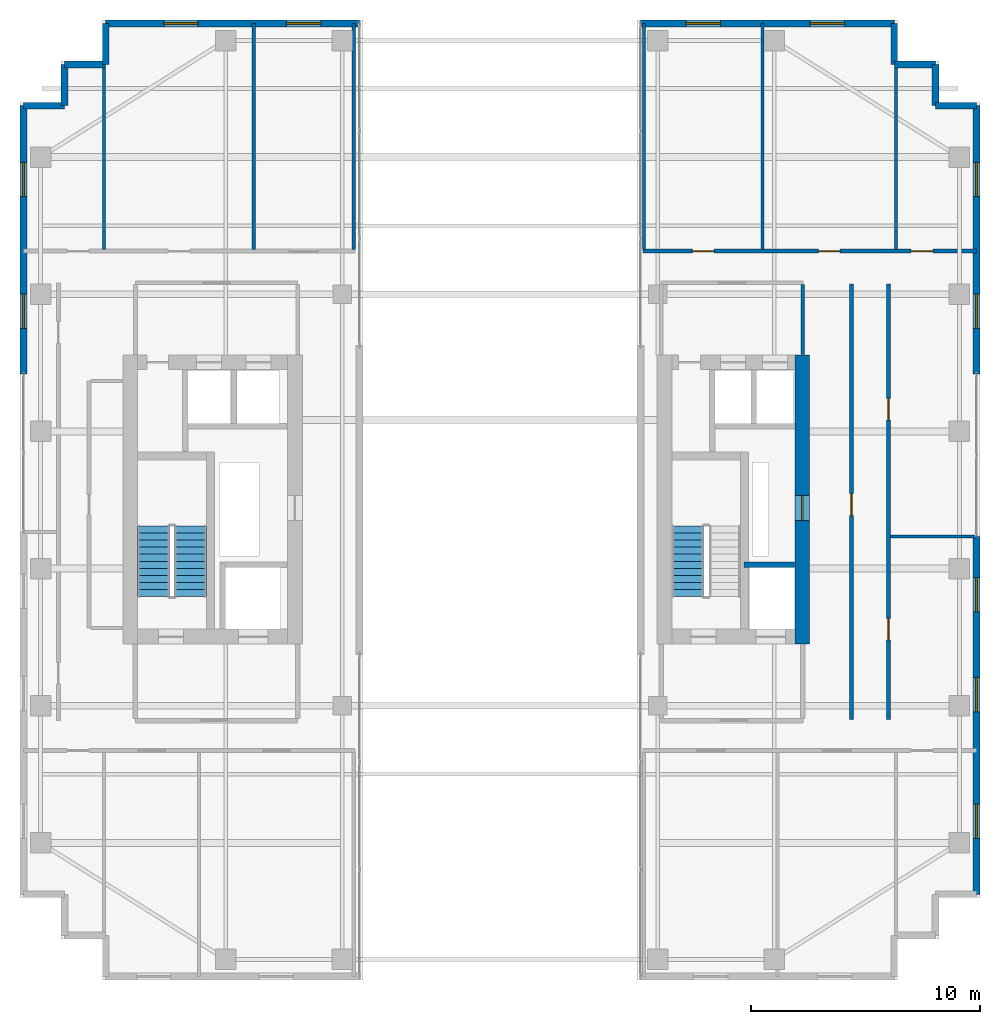
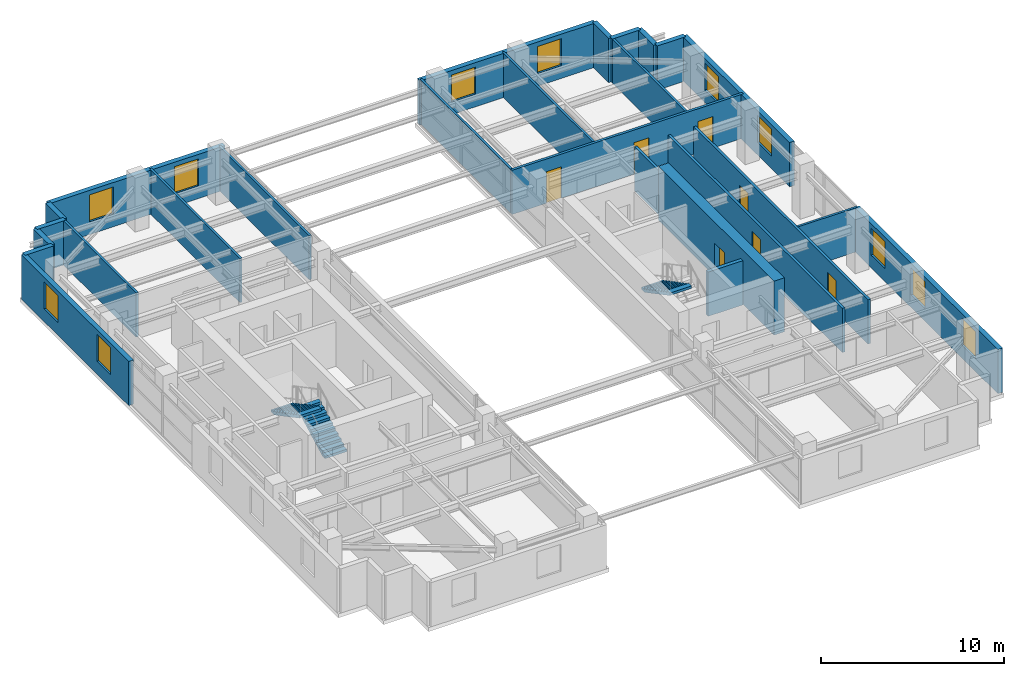
# One storey, part 19 of 21: 26 walls, 11 windows, 7 doors, 3 stair flights, 18 openings, 2 elements without a shape of their own.
"""IFC4 building model written with IfcOpenShell, lengths in metres."""

from ifc_helpers import new_model, si_unit, direction, frame, frame_2d, origin, place, context, subcontext, project, spatial, polyline, rectangle, outline, extrude, source, transform, mapped, material, layer, layer_set, type_object, element, fill, aggregate, save


model = new_model("IFC4")

# Units and contexts
model_context = context("Model", 3, precision=1e-05, world=origin(), true_north=direction((0.0, 1.0)))
body_context = subcontext(model_context, "Body", "Model", "MODEL_VIEW")
ifc_project = project(units=[si_unit("LENGTHUNIT", "METRE"), si_unit("AREAUNIT", "SQUARE_METRE"), si_unit("VOLUMEUNIT", "CUBIC_METRE"), si_unit("PLANEANGLEUNIT", "RADIAN"), si_unit("MASSUNIT", "GRAM", prefix="KILO")], contexts=[model_context])

# Site, building, storey
site_placement = place(None, origin())
site = spatial("IfcSite", under=ifc_project, at=site_placement, CompositionType="ELEMENT")
building_placement = place(site_placement, origin())
building = spatial("IfcBuilding", under=site, at=building_placement, Name="Khoralis Quay Care Tower", CompositionType="ELEMENT")
storey_placement = place(building_placement, frame((0.0, 0.0, 213.300048828125)))
storey = spatial("IfcBuildingStorey", under=building, at=storey_placement, Name="L56", CompositionType="ELEMENT", Elevation=213.300048828125)

# Wall, opening, door
ifc_material_1 = material(Name="Concrete C65/80", Category="concrete")
ifc_layer_1 = layer(ifc_material_1, 0.64990234375)
ifc_layer_set_1 = layer_set([ifc_layer_1], Name="Concrete C65/80")
wall_type_1 = type_object("IfcWallType", Name="WL-CORE-650", PredefinedType="SHEAR", material=ifc_layer_set_1)
wall_1_placement = place(storey_placement, frame((37.22509765625, 14.699951171875, 0.0), z_axis=(0.0, 0.0, 1.0), x_axis=(0.0, 1.0, 0.0)))
wall_1 = element("IfcWall", 1, at=wall_1_placement, inside=storey, type_object=wall_type_1, Name="L56 ECORE East Shear Wall", PredefinedType="SHEAR", context=body_context, shape_type="SweptSolid", body=[
    extrude(rectangle(XDim=12.650146484375, YDim=0.64990234375, at=frame_2d((6.3251953125, 0.0))), origin(), (0.0, 0.0, 1.0), 3.599853515625),
])
opening_1_placement = place(wall_1_placement, frame((5.39990234375, 0.0, 0.0)))
opening_1 = element("IfcOpeningElement", 2, at=opening_1_placement, cuts=wall_1, Name="Opening SD1", PredefinedType="OPENING", context=body_context, shape_type="SweptSolid", body=[
    extrude(rectangle(XDim=1.10009765625, YDim=2.199951171875, at=frame_2d((0.550048828125, 1.10009765625))), frame((0.0, 0.3349609375, 0.0), z_axis=(0.0, -1.0, 0.0), x_axis=(1.0, 0.0, 0.0)), (0.0, 0.0, 1.0), 0.669921875),
])
ifc_material_2 = material(Name="Fire-rated painted steel", Category="steel")
door_type_1 = type_object("IfcDoorType", Name="DR-STAIR-1100X2200", OperationType="NOTDEFINED", PredefinedType="DOOR", material=ifc_material_2)
shared_shape_1 = source(origin(), body_context, "Body", "SweptSolid", [
    extrude(rectangle(XDim=1.10009765625, YDim=2.199951171875, at=frame_2d((0.550048828125, 1.10009765625))), frame((0.0, 0.02490234375, 0.0), z_axis=(0.0, -1.0, 0.0), x_axis=(1.0, 0.0, 0.0)), (0.0, 0.0, 1.0), 0.050048828125),
])
door_1_placement = place(opening_1_placement, frame((1.10009765625, 0.0, 0.0), z_axis=(0.0, 0.0, 1.0), x_axis=(-1.0, 0.0, 0.0)))
door_1 = element("IfcDoor", 3, at=door_1_placement, inside=storey, type_object=door_type_1, Name="L56 East MEP Riser Door", OperationType="SINGLE_SWING_LEFT", OverallHeight=2.199951171875, OverallWidth=1.10009765625, PredefinedType="DOOR", context=body_context, shape_type="MappedRepresentation", body=[
    mapped(shared_shape_1, transform((0.0, 0.0, 0.0), scale=1.0)),
])
fill(opening_1, door_1)

# Wall
ifc_material_3 = material(Name="Gypsum plasterboard on acoustic metal stud")
ifc_layer_2 = layer(ifc_material_3, 0.1650390625)
ifc_layer_set_2 = layer_set([ifc_layer_2], Name="Gypsum plasterboard on acoustic metal stud")
wall_type_2 = type_object("IfcWallType", Name="WL-CORR-165", PredefinedType="PARTITIONING", material=ifc_layer_set_2)
wall_2_placement = place(storey_placement, frame((37.25, 27.3701171875, 0.0), z_axis=(0.0, 0.0, 1.0), x_axis=(0.0, 1.0, 0.0)))
element("IfcWall", 4, at=wall_2_placement, inside=storey, type_object=wall_type_2, Name="L56 East Lift Lobby East Wall", PredefinedType="PARTITIONING", context=body_context, shape_type="SweptSolid", body=[
    extrude(rectangle(XDim=3.052490234375, YDim=0.1650390625, at=frame_2d((1.5263671875, 0.0))), origin(), (0.0, 0.0, 1.0), 2.949951171875),
])

# Wall, openings, doors
wall_3_placement = place(storey_placement, frame((30.25, 31.889892578125, 0.0), z_axis=(0.0, 0.0, 1.0), x_axis=(1.0, 0.0, 0.0)))
wall_3 = element("IfcWall", 5, at=wall_3_placement, inside=storey, type_object=wall_type_2, Name="L56 East Wing North Corridor Wall", PredefinedType="PARTITIONING", context=body_context, shape_type="SweptSolid", body=[
    extrude(rectangle(XDim=14.60498046875, YDim=0.1650390625, at=frame_2d((7.302490234375, 0.0))), origin(), (0.0, 0.0, 1.0), 2.949951171875),
])
opening_2_placement = place(wall_3_placement, frame((2.1650390625, 0.0, 0.0)))
opening_2 = element("IfcOpeningElement", 6, at=opening_2_placement, cuts=wall_3, Name="Opening ID1", PredefinedType="OPENING", context=body_context, shape_type="SweptSolid", body=[
    extrude(rectangle(XDim=0.949951171875, YDim=2.10009765625, at=frame_2d((0.47509765625, 1.050048828125))), frame((0.0, 0.092529296875, 0.0), z_axis=(0.0, -1.0, 0.0), x_axis=(1.0, 0.0, 0.0)), (0.0, 0.0, 1.0), 0.18505859375),
])
opening_3_placement = place(wall_3_placement, frame((7.675048828125, 0.0, 0.0)))
opening_3 = element("IfcOpeningElement", 7, at=opening_3_placement, cuts=wall_3, Name="Opening ID1", PredefinedType="OPENING", context=body_context, shape_type="SweptSolid", body=[
    extrude(rectangle(XDim=0.949951171875, YDim=2.10009765625, at=frame_2d((0.47509765625, 1.050048828125))), frame((0.0, 0.092529296875, 0.0), z_axis=(0.0, -1.0, 0.0), x_axis=(1.0, 0.0, 0.0)), (0.0, 0.0, 1.0), 0.18505859375),
])
opening_4_placement = place(wall_3_placement, frame((11.735107421875, 0.0, 0.0)))
opening_4 = element("IfcOpeningElement", 8, at=opening_4_placement, cuts=wall_3, Name="Opening ID1", PredefinedType="OPENING", context=body_context, shape_type="SweptSolid", body=[
    extrude(rectangle(XDim=0.949951171875, YDim=2.10009765625, at=frame_2d((0.47509765625, 1.050048828125))), frame((0.0, 0.092529296875, 0.0), z_axis=(0.0, -1.0, 0.0), x_axis=(1.0, 0.0, 0.0)), (0.0, 0.0, 1.0), 0.18505859375),
])
ifc_material_4 = material(Name="Acoustic hardwood timber", Category="wood")
door_type_2 = type_object("IfcDoorType", Name="DR-ROOM-950X2100", OperationType="NOTDEFINED", PredefinedType="DOOR", material=ifc_material_4)
shared_shape_2 = source(origin(), body_context, "Body", "SweptSolid", [
    extrude(rectangle(XDim=0.949951171875, YDim=2.10009765625, at=frame_2d((0.47509765625, 1.050048828125))), frame((0.0, 0.02490234375, 0.0), z_axis=(0.0, -1.0, 0.0), x_axis=(1.0, 0.0, 0.0)), (0.0, 0.0, 1.0), 0.050048828125),
])
door_2_placement = place(opening_2_placement, origin())
door_2 = element("IfcDoor", 9, at=door_2_placement, inside=storey, type_object=door_type_2, Name="L56 Care Coordination Office Door", OperationType="SINGLE_SWING_RIGHT", OverallHeight=2.10009765625, OverallWidth=0.949951171875, PredefinedType="DOOR", context=body_context, shape_type="MappedRepresentation", body=[
    mapped(shared_shape_2, transform((0.0, 0.0, 0.0), scale=1.0)),
])
fill(opening_2, door_2)
door_3_placement = place(opening_3_placement, origin())
door_3 = element("IfcDoor", 10, at=door_3_placement, inside=storey, type_object=door_type_2, Name="L56 Care Coordination Office Door", OperationType="SINGLE_SWING_LEFT", OverallHeight=2.10009765625, OverallWidth=0.949951171875, PredefinedType="DOOR", context=body_context, shape_type="MappedRepresentation", body=[
    mapped(shared_shape_2, transform((0.0, 0.0, 0.0), scale=1.0)),
])
fill(opening_3, door_3)
door_4_placement = place(opening_4_placement, origin())
door_4 = element("IfcDoor", 11, at=door_4_placement, inside=storey, type_object=door_type_2, Name="L56 NE Corner Door", OperationType="SINGLE_SWING_LEFT", OverallHeight=2.10009765625, OverallWidth=0.949951171875, PredefinedType="DOOR", context=body_context, shape_type="MappedRepresentation", body=[
    mapped(shared_shape_2, transform((0.0, 0.0, 0.0), scale=1.0)),
])
fill(opening_4, door_4)

wall_4_placement = place(storey_placement, frame((41.0, 11.39990234375, 0.0), z_axis=(0.0, 0.0, 1.0), x_axis=(0.0, 1.0, 0.0)))
wall_4 = element("IfcWall", 12, at=wall_4_placement, inside=storey, type_object=wall_type_2, Name="L56 East Gallery Wall", PredefinedType="PARTITIONING", context=body_context, shape_type="SweptSolid", body=[
    extrude(rectangle(XDim=19.050048828125, YDim=0.1650390625, at=frame_2d((9.52490234375, 0.0))), origin(), (0.0, 0.0, 1.0), 2.949951171875),
])
opening_5_placement = place(wall_4_placement, frame((3.47509765625, 0.0, 0.0)))
opening_5 = element("IfcOpeningElement", 13, at=opening_5_placement, cuts=wall_4, Name="Opening ID1", PredefinedType="OPENING", context=body_context, shape_type="SweptSolid", body=[
    extrude(rectangle(XDim=0.949951171875, YDim=2.10009765625, at=frame_2d((0.47509765625, 1.050048828125))), frame((0.0, 0.092529296875, 0.0), z_axis=(0.0, -1.0, 0.0), x_axis=(1.0, 0.0, 0.0)), (0.0, 0.0, 1.0), 0.18505859375),
])
opening_6_placement = place(wall_4_placement, frame((13.10009765625, 0.0, 0.0)))
opening_6 = element("IfcOpeningElement", 14, at=opening_6_placement, cuts=wall_4, Name="Opening ID1", PredefinedType="OPENING", context=body_context, shape_type="SweptSolid", body=[
    extrude(rectangle(XDim=0.949951171875, YDim=2.10009765625, at=frame_2d((0.47509765625, 1.050048828125))), frame((0.0, 0.092529296875, 0.0), z_axis=(0.0, -1.0, 0.0), x_axis=(1.0, 0.0, 0.0)), (0.0, 0.0, 1.0), 0.18505859375),
])
door_5_placement = place(opening_5_placement, origin())
door_5 = element("IfcDoor", 15, at=door_5_placement, inside=storey, type_object=door_type_2, Name="L56 East Waterfront Daylight Lounge Door", OperationType="SINGLE_SWING_LEFT", OverallHeight=2.10009765625, OverallWidth=0.949951171875, PredefinedType="DOOR", context=body_context, shape_type="MappedRepresentation", body=[
    mapped(shared_shape_2, transform((0.0, 0.0, 0.0), scale=1.0)),
])
fill(opening_5, door_5)
door_6_placement = place(opening_6_placement, origin())
door_6 = element("IfcDoor", 16, at=door_6_placement, inside=storey, type_object=door_type_2, Name="L56 East Bay Communal Dining Room Door", OperationType="SINGLE_SWING_RIGHT", OverallHeight=2.10009765625, OverallWidth=0.949951171875, PredefinedType="DOOR", context=body_context, shape_type="MappedRepresentation", body=[
    mapped(shared_shape_2, transform((0.0, 0.0, 0.0), scale=1.0)),
])
fill(opening_6, door_6)

# Wall, opening, door
wall_5_placement = place(storey_placement, frame((39.3798828125, 11.39990234375, 0.0), z_axis=(0.0, 0.0, 1.0), x_axis=(0.0, 1.0, 0.0)))
wall_5 = element("IfcWall", 17, at=wall_5_placement, inside=storey, type_object=wall_type_2, Name="L56 East Inner Clinic Wall", PredefinedType="PARTITIONING", context=body_context, shape_type="SweptSolid", body=[
    extrude(rectangle(XDim=19.050048828125, YDim=0.1650390625, at=frame_2d((9.52490234375, 0.0))), origin(), (0.0, 0.0, 1.0), 2.949951171875),
])
opening_7_placement = place(wall_5_placement, frame((8.925048828125, 0.0, 0.0)))
opening_7 = element("IfcOpeningElement", 18, at=opening_7_placement, cuts=wall_5, Name="Opening ID1", PredefinedType="OPENING", context=body_context, shape_type="SweptSolid", body=[
    extrude(rectangle(XDim=0.949951171875, YDim=2.10009765625, at=frame_2d((0.47509765625, 1.050048828125))), frame((0.0, 0.092529296875, 0.0), z_axis=(0.0, -1.0, 0.0), x_axis=(1.0, 0.0, 0.0)), (0.0, 0.0, 1.0), 0.18505859375),
])
door_7_placement = place(opening_7_placement, frame((0.949951171875, 0.0, 0.0), z_axis=(0.0, 0.0, 1.0), x_axis=(-1.0, 0.0, 0.0)))
door_7 = element("IfcDoor", 19, at=door_7_placement, inside=storey, type_object=door_type_2, Name="L56 East Rehab Therapy Door", OperationType="SINGLE_SWING_LEFT", OverallHeight=2.10009765625, OverallWidth=0.949951171875, PredefinedType="DOOR", context=body_context, shape_type="MappedRepresentation", body=[
    mapped(shared_shape_2, transform((0.0, 0.0, 0.0), scale=1.0)),
])
fill(opening_7, door_7)

# Wall, openings, windows
ifc_material_5 = material(Name="Precast concrete C45/55", Category="concrete")
ifc_layer_3 = layer(ifc_material_5, 0.300048828125)
ifc_layer_set_3 = layer_set([ifc_layer_3], Name="Precast concrete C45/55")
wall_type_3 = type_object("IfcWallType", Name="WL-EXT-REF-300", PredefinedType="SOLIDWALL", material=ifc_layer_set_3)
wall_6_placement = place(storey_placement, frame((17.85009765625, 41.85009765625, 0.0), z_axis=(0.0, 0.0, 1.0), x_axis=(-1.0, 0.0, 0.0)))
wall_6 = element("IfcWall", 20, at=wall_6_placement, inside=storey, type_object=wall_type_3, Name="L56 External Facade Wall WL-EXT-L56-P1-E2", PredefinedType="SOLIDWALL", context=body_context, shape_type="SweptSolid", body=[
    extrude(rectangle(XDim=11.10009765625, YDim=0.300048828125, at=frame_2d((5.550048828125, 0.0))), origin(), (0.0, 0.0, 1.0), 2.949951171875),
])
opening_8_placement = place(wall_6_placement, frame((1.68505859375, 0.0, 0.85009765625)))
opening_8 = element("IfcOpeningElement", 21, at=opening_8_placement, cuts=wall_6, Name="Opening W3", PredefinedType="OPENING", context=body_context, shape_type="SweptSolid", body=[
    extrude(rectangle(XDim=1.5, YDim=1.800048828125, at=frame_2d((0.75, 0.89990234375))), frame((0.0, 0.16015625, 0.0), z_axis=(0.0, -1.0, 0.0), x_axis=(1.0, 0.0, 0.0)), (0.0, 0.0, 1.0), 0.320068359375),
])
opening_9_placement = place(wall_6_placement, frame((7.06005859375, 0.0, 0.85009765625)))
opening_9 = element("IfcOpeningElement", 22, at=opening_9_placement, cuts=wall_6, Name="Opening W3", PredefinedType="OPENING", context=body_context, shape_type="SweptSolid", body=[
    extrude(rectangle(XDim=1.5, YDim=1.800048828125, at=frame_2d((0.75, 0.89990234375))), frame((0.0, 0.16015625, 0.0), z_axis=(0.0, -1.0, 0.0), x_axis=(1.0, 0.0, 0.0)), (0.0, 0.0, 1.0), 0.320068359375),
])
ifc_material_6 = material(Name="Low-E solar-control double glazing", Category="glass")
window_type = type_object("IfcWindowType", Name="WN-CLIN-1500X1800", PartitioningType="SINGLE_PANEL", PredefinedType="WINDOW", material=ifc_material_6)
shared_shape_3 = source(origin(), body_context, "Body", "SweptSolid", [
    extrude(rectangle(XDim=1.5, YDim=1.800048828125, at=frame_2d((0.75, 0.89990234375))), frame((0.0, 0.030029296875, 0.0), z_axis=(0.0, -1.0, 0.0), x_axis=(1.0, 0.0, 0.0)), (0.0, 0.0, 1.0), 0.06005859375),
])
window_1_placement = place(opening_8_placement, origin())
window_1 = element("IfcWindow", 23, at=window_1_placement, inside=storey, type_object=window_type, Name="WN-L56-P1-E2 Facade Window 01", OverallHeight=1.800048828125, OverallWidth=1.5, PartitioningType="SINGLE_PANEL", PredefinedType="WINDOW", context=body_context, shape_type="MappedRepresentation", body=[
    mapped(shared_shape_3, transform((0.0, 0.0, 0.0), scale=1.0)),
])
fill(opening_8, window_1)
window_2_placement = place(opening_9_placement, origin())
window_2 = element("IfcWindow", 24, at=window_2_placement, inside=storey, type_object=window_type, Name="WN-L56-P1-E2 Facade Window 02", OverallHeight=1.800048828125, OverallWidth=1.5, PartitioningType="SINGLE_PANEL", PredefinedType="WINDOW", context=body_context, shape_type="MappedRepresentation", body=[
    mapped(shared_shape_3, transform((0.0, 0.0, 0.0), scale=1.0)),
])
fill(opening_9, window_2)

# Walls
for number, where, z_axis, x_axis, name in (
    (25, (6.75, 41.85009765625, 0.0), (0.0, 0.0, 1.0), (0.0, -1.0, 0.0), "L56 External Facade Wall WL-EXT-L56-P1-C3"),
    (26, (6.75, 40.050048828125, 0.0), (0.0, 0.0, 1.0), (-1.0, 0.0, 0.0), "L56 External Facade Wall WL-EXT-L56-P1-C4"),
    (27, (4.949951171875, 40.050048828125, 0.0), (0.0, 0.0, 1.0), (0.0, -1.0, 0.0), "L56 External Facade Wall WL-EXT-L56-P1-C5"),
    (28, (4.949951171875, 38.25, 0.0), (0.0, 0.0, 1.0), (-1.0, 0.0, 0.0), "L56 External Facade Wall WL-EXT-L56-P1-C6"),
):
    element("IfcWall", number, at=place(storey_placement, frame(where, z_axis=z_axis, x_axis=x_axis)), inside=storey, type_object=wall_type_3, Name=name, PredefinedType="SOLIDWALL", context=body_context, shape_type="SweptSolid", body=[
        extrude(rectangle(XDim=1.800048828125, YDim=0.300048828125, at=frame_2d((0.89990234375, 0.0))), origin(), (0.0, 0.0, 1.0), 2.949951171875),
    ])

# Wall, openings, windows
wall_7_placement = place(storey_placement, frame((3.14990234375, 38.25, 0.0), z_axis=(0.0, 0.0, 1.0), x_axis=(0.0, -1.0, 0.0)))
wall_7 = element("IfcWall", 29, at=wall_7_placement, inside=storey, type_object=wall_type_3, Name="L56 External Facade Wall WL-EXT-L56-P1-E7A", PredefinedType="SOLIDWALL", context=body_context, shape_type="SweptSolid", body=[
    extrude(rectangle(XDim=11.72998046875, YDim=0.300048828125, at=frame_2d((5.864990234375, 0.0))), origin(), (0.0, 0.0, 1.0), 2.949951171875),
])
opening_10_placement = place(wall_7_placement, frame((2.47998046875, 0.0, 0.85009765625)))
opening_10 = element("IfcOpeningElement", 30, at=opening_10_placement, cuts=wall_7, Name="Opening W3", PredefinedType="OPENING", context=body_context, shape_type="SweptSolid", body=[
    extrude(rectangle(XDim=1.5, YDim=1.800048828125, at=frame_2d((0.75, 0.89990234375))), frame((0.0, 0.16015625, 0.0), z_axis=(0.0, -1.0, 0.0), x_axis=(1.0, 0.0, 0.0)), (0.0, 0.0, 1.0), 0.320068359375),
])
opening_11_placement = place(wall_7_placement, frame((8.2451171875, 0.0, 0.85009765625)))
opening_11 = element("IfcOpeningElement", 31, at=opening_11_placement, cuts=wall_7, Name="Opening W3", PredefinedType="OPENING", context=body_context, shape_type="SweptSolid", body=[
    extrude(rectangle(XDim=1.5, YDim=1.800048828125, at=frame_2d((0.75, 0.89990234375))), frame((0.0, 0.16015625, 0.0), z_axis=(0.0, -1.0, 0.0), x_axis=(1.0, 0.0, 0.0)), (0.0, 0.0, 1.0), 0.320068359375),
])
window_3_placement = place(opening_10_placement, origin())
window_3 = element("IfcWindow", 32, at=window_3_placement, inside=storey, type_object=window_type, Name="WN-L56-P1-E7A Facade Window 01", OverallHeight=1.800048828125, OverallWidth=1.5, PartitioningType="SINGLE_PANEL", PredefinedType="WINDOW", context=body_context, shape_type="MappedRepresentation", body=[
    mapped(shared_shape_3, transform((0.0, 0.0, 0.0), scale=1.0)),
])
fill(opening_10, window_3)
window_4_placement = place(opening_11_placement, origin())
window_4 = element("IfcWindow", 33, at=window_4_placement, inside=storey, type_object=window_type, Name="WN-L56-P1-E7A Facade Window 02", OverallHeight=1.800048828125, OverallWidth=1.5, PartitioningType="SINGLE_PANEL", PredefinedType="WINDOW", context=body_context, shape_type="MappedRepresentation", body=[
    mapped(shared_shape_3, transform((0.0, 0.0, 0.0), scale=1.0)),
])
fill(opening_11, window_4)

wall_8_placement = place(storey_placement, frame((44.85009765625, 3.75, 0.0), z_axis=(0.0, 0.0, 1.0), x_axis=(0.0, 1.0, 0.0)))
wall_8 = element("IfcWall", 34, at=wall_8_placement, inside=storey, type_object=wall_type_3, Name="L56 External Facade Wall WL-EXT-L56-P2-E5A", PredefinedType="SOLIDWALL", context=body_context, shape_type="SweptSolid", body=[
    extrude(rectangle(XDim=15.64990234375, YDim=0.300048828125, at=frame_2d((7.824951171875, 0.0))), origin(), (0.0, 0.0, 1.0), 2.949951171875),
])
opening_12_placement = place(wall_8_placement, frame((2.445068359375, 0.0, 0.85009765625)))
opening_12 = element("IfcOpeningElement", 35, at=opening_12_placement, cuts=wall_8, Name="Opening W3", PredefinedType="OPENING", context=body_context, shape_type="SweptSolid", body=[
    extrude(rectangle(XDim=1.5, YDim=1.800048828125, at=frame_2d((0.75, 0.89990234375))), frame((0.0, 0.16015625, 0.0), z_axis=(0.0, -1.0, 0.0), x_axis=(1.0, 0.0, 0.0)), (0.0, 0.0, 1.0), 0.320068359375),
])
opening_13_placement = place(wall_8_placement, frame((7.985107421875, 0.0, 0.85009765625)))
opening_13 = element("IfcOpeningElement", 36, at=opening_13_placement, cuts=wall_8, Name="Opening W3", PredefinedType="OPENING", context=body_context, shape_type="SweptSolid", body=[
    extrude(rectangle(XDim=1.5, YDim=1.800048828125, at=frame_2d((0.75, 0.89990234375))), frame((0.0, 0.16015625, 0.0), z_axis=(0.0, -1.0, 0.0), x_axis=(1.0, 0.0, 0.0)), (0.0, 0.0, 1.0), 0.320068359375),
])
opening_14_placement = place(wall_8_placement, frame((12.35498046875, 0.0, 0.85009765625)))
opening_14 = element("IfcOpeningElement", 37, at=opening_14_placement, cuts=wall_8, Name="Opening W3", PredefinedType="OPENING", context=body_context, shape_type="SweptSolid", body=[
    extrude(rectangle(XDim=1.5, YDim=1.800048828125, at=frame_2d((0.75, 0.89990234375))), frame((0.0, 0.16015625, 0.0), z_axis=(0.0, -1.0, 0.0), x_axis=(1.0, 0.0, 0.0)), (0.0, 0.0, 1.0), 0.320068359375),
])
window_5_placement = place(opening_12_placement, origin())
window_5 = element("IfcWindow", 38, at=window_5_placement, inside=storey, type_object=window_type, Name="WN-L56-P2-E5A Facade Window 01", OverallHeight=1.800048828125, OverallWidth=1.5, PartitioningType="SINGLE_PANEL", PredefinedType="WINDOW", context=body_context, shape_type="MappedRepresentation", body=[
    mapped(shared_shape_3, transform((0.0, 0.0, 0.0), scale=1.0)),
])
fill(opening_12, window_5)
window_6_placement = place(opening_13_placement, origin())
window_6 = element("IfcWindow", 39, at=window_6_placement, inside=storey, type_object=window_type, Name="WN-L56-P2-E5A Facade Window 02", OverallHeight=1.800048828125, OverallWidth=1.5, PartitioningType="SINGLE_PANEL", PredefinedType="WINDOW", context=body_context, shape_type="MappedRepresentation", body=[
    mapped(shared_shape_3, transform((0.0, 0.0, 0.0), scale=1.0)),
])
fill(opening_13, window_6)
window_7_placement = place(opening_14_placement, origin())
window_7 = element("IfcWindow", 40, at=window_7_placement, inside=storey, type_object=window_type, Name="WN-L56-P2-E5A Facade Window 03", OverallHeight=1.800048828125, OverallWidth=1.5, PartitioningType="SINGLE_PANEL", PredefinedType="WINDOW", context=body_context, shape_type="MappedRepresentation", body=[
    mapped(shared_shape_3, transform((0.0, 0.0, 0.0), scale=1.0)),
])
fill(opening_14, window_7)

wall_9_placement = place(storey_placement, frame((44.85009765625, 26.52001953125, 0.0), z_axis=(0.0, 0.0, 1.0), x_axis=(0.0, 1.0, 0.0)))
wall_9 = element("IfcWall", 41, at=wall_9_placement, inside=storey, type_object=wall_type_3, Name="L56 External Facade Wall WL-EXT-L56-P2-E5B", PredefinedType="SOLIDWALL", context=body_context, shape_type="SweptSolid", body=[
    extrude(rectangle(XDim=11.72998046875, YDim=0.300048828125, at=frame_2d((5.864990234375, 0.0))), origin(), (0.0, 0.0, 1.0), 2.949951171875),
])
opening_15_placement = place(wall_9_placement, frame((1.985107421875, 0.0, 0.85009765625)))
opening_15 = element("IfcOpeningElement", 42, at=opening_15_placement, cuts=wall_9, Name="Opening W3", PredefinedType="OPENING", context=body_context, shape_type="SweptSolid", body=[
    extrude(rectangle(XDim=1.5, YDim=1.800048828125, at=frame_2d((0.75, 0.89990234375))), frame((0.0, 0.16015625, 0.0), z_axis=(0.0, -1.0, 0.0), x_axis=(1.0, 0.0, 0.0)), (0.0, 0.0, 1.0), 0.320068359375),
])
opening_16_placement = place(wall_9_placement, frame((7.75, 0.0, 0.85009765625)))
opening_16 = element("IfcOpeningElement", 43, at=opening_16_placement, cuts=wall_9, Name="Opening W3", PredefinedType="OPENING", context=body_context, shape_type="SweptSolid", body=[
    extrude(rectangle(XDim=1.5, YDim=1.800048828125, at=frame_2d((0.75, 0.89990234375))), frame((0.0, 0.16015625, 0.0), z_axis=(0.0, -1.0, 0.0), x_axis=(1.0, 0.0, 0.0)), (0.0, 0.0, 1.0), 0.320068359375),
])
window_8_placement = place(opening_15_placement, origin())
window_8 = element("IfcWindow", 44, at=window_8_placement, inside=storey, type_object=window_type, Name="WN-L56-P2-E5B Facade Window 01", OverallHeight=1.800048828125, OverallWidth=1.5, PartitioningType="SINGLE_PANEL", PredefinedType="WINDOW", context=body_context, shape_type="MappedRepresentation", body=[
    mapped(shared_shape_3, transform((0.0, 0.0, 0.0), scale=1.0)),
])
fill(opening_15, window_8)
window_9_placement = place(opening_16_placement, origin())
window_9 = element("IfcWindow", 45, at=window_9_placement, inside=storey, type_object=window_type, Name="WN-L56-P2-E5B Facade Window 02", OverallHeight=1.800048828125, OverallWidth=1.5, PartitioningType="SINGLE_PANEL", PredefinedType="WINDOW", context=body_context, shape_type="MappedRepresentation", body=[
    mapped(shared_shape_3, transform((0.0, 0.0, 0.0), scale=1.0)),
])
fill(opening_16, window_9)

# Walls
for number, where, z_axis, x_axis, name in (
    (46, (44.85009765625, 38.25, 0.0), (0.0, 0.0, 1.0), (-1.0, 0.0, 0.0), "L56 External Facade Wall WL-EXT-L56-P2-C6"),
    (47, (43.050048828125, 38.25, 0.0), (0.0, 0.0, 1.0), (0.0, 1.0, 0.0), "L56 External Facade Wall WL-EXT-L56-P2-C7"),
    (48, (43.050048828125, 40.050048828125, 0.0), (0.0, 0.0, 1.0), (-1.0, 0.0, 0.0), "L56 External Facade Wall WL-EXT-L56-P2-C8"),
    (49, (41.25, 40.050048828125, 0.0), (0.0, 0.0, 1.0), (0.0, 1.0, 0.0), "L56 External Facade Wall WL-EXT-L56-P2-C9"),
):
    element("IfcWall", number, at=place(storey_placement, frame(where, z_axis=z_axis, x_axis=x_axis)), inside=storey, type_object=wall_type_3, Name=name, PredefinedType="SOLIDWALL", context=body_context, shape_type="SweptSolid", body=[
        extrude(rectangle(XDim=1.800048828125, YDim=0.300048828125, at=frame_2d((0.89990234375, 0.0))), origin(), (0.0, 0.0, 1.0), 2.949951171875),
    ])

# Wall, openings, windows
wall_10_placement = place(storey_placement, frame((41.25, 41.85009765625, 0.0), z_axis=(0.0, 0.0, 1.0), x_axis=(-1.0, 0.0, 0.0)))
wall_10 = element("IfcWall", 50, at=wall_10_placement, inside=storey, type_object=wall_type_3, Name="L56 External Facade Wall WL-EXT-L56-P2-E10", PredefinedType="SOLIDWALL", context=body_context, shape_type="SweptSolid", body=[
    extrude(rectangle(XDim=11.10009765625, YDim=0.300048828125, at=frame_2d((5.550048828125, 0.0))), origin(), (0.0, 0.0, 1.0), 2.949951171875),
])
opening_17_placement = place(wall_10_placement, frame((2.18505859375, 0.0, 0.85009765625)))
opening_17 = element("IfcOpeningElement", 51, at=opening_17_placement, cuts=wall_10, Name="Opening W3", PredefinedType="OPENING", context=body_context, shape_type="SweptSolid", body=[
    extrude(rectangle(XDim=1.5, YDim=1.800048828125, at=frame_2d((0.75, 0.89990234375))), frame((0.0, 0.16015625, 0.0), z_axis=(0.0, -1.0, 0.0), x_axis=(1.0, 0.0, 0.0)), (0.0, 0.0, 1.0), 0.320068359375),
])
opening_18_placement = place(wall_10_placement, frame((7.610107421875, 0.0, 0.85009765625)))
opening_18 = element("IfcOpeningElement", 52, at=opening_18_placement, cuts=wall_10, Name="Opening W3", PredefinedType="OPENING", context=body_context, shape_type="SweptSolid", body=[
    extrude(rectangle(XDim=1.5, YDim=1.800048828125, at=frame_2d((0.75, 0.89990234375))), frame((0.0, 0.16015625, 0.0), z_axis=(0.0, -1.0, 0.0), x_axis=(1.0, 0.0, 0.0)), (0.0, 0.0, 1.0), 0.320068359375),
])
window_10_placement = place(opening_17_placement, origin())
window_10 = element("IfcWindow", 53, at=window_10_placement, inside=storey, type_object=window_type, Name="WN-L56-P2-E10 Facade Window 01", OverallHeight=1.800048828125, OverallWidth=1.5, PartitioningType="SINGLE_PANEL", PredefinedType="WINDOW", context=body_context, shape_type="MappedRepresentation", body=[
    mapped(shared_shape_3, transform((0.0, 0.0, 0.0), scale=1.0)),
])
fill(opening_17, window_10)
window_11_placement = place(opening_18_placement, origin())
window_11 = element("IfcWindow", 54, at=window_11_placement, inside=storey, type_object=window_type, Name="WN-L56-P2-E10 Facade Window 02", OverallHeight=1.800048828125, OverallWidth=1.5, PartitioningType="SINGLE_PANEL", PredefinedType="WINDOW", context=body_context, shape_type="MappedRepresentation", body=[
    mapped(shared_shape_3, transform((0.0, 0.0, 0.0), scale=1.0)),
])
fill(opening_18, window_11)

# Walls
ifc_layer_4 = layer(ifc_material_3, 0.239990234375)
ifc_layer_set_4 = layer_set([ifc_layer_4], Name="Gypsum plasterboard on acoustic metal stud")
wall_type_4 = type_object("IfcWallType", Name="WL-SHAFT-240", PredefinedType="PARTITIONING", material=ifc_layer_set_4)
wall_11_placement = place(storey_placement, frame((34.679931640625, 18.169921875, 0.0), z_axis=(0.0, 0.0, 1.0), x_axis=(1.0, 0.0, 0.0)))
element("IfcWall", 55, at=wall_11_placement, inside=storey, type_object=wall_type_4, Name="L56 FFL-2 Shaft Wall North", PredefinedType="PARTITIONING", context=body_context, shape_type="SweptSolid", body=[
    extrude(rectangle(XDim=2.199951171875, YDim=0.239990234375, at=frame_2d((1.10009765625, 0.0))), origin(), (0.0, 0.0, 1.0), 2.949951171875),
])
ifc_layer_5 = layer(ifc_material_3, 0.139892578125)
ifc_layer_set_5 = layer_set([ifc_layer_5], Name="Gypsum plasterboard on acoustic metal stud")
wall_type_5 = type_object("IfcWallType", Name="WL-UNIT-140", PredefinedType="PARTITIONING", material=ifc_layer_set_5)
wall_12_placement = place(storey_placement, frame((41.077392578125, 19.39990234375, 0.0), z_axis=(0.0, 0.0, 1.0), x_axis=(1.0, 0.0, 0.0)))
element("IfcWall", 56, at=wall_12_placement, inside=storey, type_object=wall_type_5, Name="L56 East Mid Split", PredefinedType="PARTITIONING", context=body_context, shape_type="SweptSolid", body=[
    extrude(rectangle(XDim=3.777587890625, YDim=0.139892578125, at=frame_2d((1.888671875, 0.0))), origin(), (0.0, 0.0, 1.0), 2.949951171875),
])
wall_13_placement = place(storey_placement, frame((6.679931640625, 31.967529296875, 0.0), z_axis=(0.0, 0.0, 1.0), x_axis=(0.0, 1.0, 0.0)))
element("IfcWall", 57, at=wall_13_placement, inside=storey, type_object=wall_type_5, Name="L56 WN Demising Wall 0", PredefinedType="PARTITIONING", context=body_context, shape_type="SweptSolid", body=[
    extrude(rectangle(XDim=8.08740234375, YDim=0.139892578125, at=frame_2d((4.043701171875, 0.0))), origin(), (0.0, 0.0, 1.0), 2.949951171875),
])
for number, where, z_axis, x_axis, name in (
    (58, (13.22998046875, 31.967529296875, 0.0), (0.0, 0.0, 1.0), (0.0, 1.0, 0.0), "L56 WN Demising Wall 1"),
    (59, (17.60009765625, 31.967529296875, 0.0), (0.0, 0.0, 1.0), (0.0, 1.0, 0.0), "L56 WN Demising Wall 2"),
    (60, (30.300048828125, 31.967529296875, 0.0), (0.0, 0.0, 1.0), (0.0, 1.0, 0.0), "L56 EN Demising Wall 0"),
    (61, (35.47998046875, 31.967529296875, 0.0), (0.0, 0.0, 1.0), (0.0, 1.0, 0.0), "L56 EN Demising Wall 1"),
):
    element("IfcWall", number, at=place(storey_placement, frame(where, z_axis=z_axis, x_axis=x_axis)), inside=storey, type_object=wall_type_5, Name=name, PredefinedType="PARTITIONING", context=body_context, shape_type="SweptSolid", body=[
        extrude(rectangle(XDim=9.887451171875, YDim=0.139892578125, at=frame_2d((4.94384765625, 0.0))), origin(), (0.0, 0.0, 1.0), 2.949951171875),
    ])
wall_14_placement = place(storey_placement, frame((41.320068359375, 31.967529296875, 0.0), z_axis=(0.0, 0.0, 1.0), x_axis=(0.0, 1.0, 0.0)))
element("IfcWall", 62, at=wall_14_placement, inside=storey, type_object=wall_type_5, Name="L56 EN Demising Wall 2", PredefinedType="PARTITIONING", context=body_context, shape_type="SweptSolid", body=[
    extrude(rectangle(XDim=8.08740234375, YDim=0.139892578125, at=frame_2d((4.043701171875, 0.0))), origin(), (0.0, 0.0, 1.0), 2.949951171875),
])

# Stair, stair flights
stair_type = type_object("IfcStairType", Name="ST-TWR-DOGLEG-1400", PredefinedType="HALF_TURN_STAIR", material=ifc_material_5)
stair_1_placement = place(storey_placement, origin())
stair_1 = element("IfcStair", 63, at=stair_1_placement, inside=storey, type_object=stair_type, Name="L56 West Core Exit Stair ST-T1", PredefinedType="HALF_TURN_STAIR")
stair_flight_type = type_object("IfcStairFlightType", Name="SF-TWR-1400", PredefinedType="STRAIGHT", material=ifc_material_5)
shared_shape_4 = source(origin(), body_context, "Body", "SweptSolid", [
    extrude(outline(polyline([(0.0, 0.0), (0.0, 0.16357421875), (0.31005859375, 0.16357421875), (0.31005859375, 0.327392578125), (0.6201171875, 0.327392578125), (0.6201171875, 0.490966796875), (0.929931640625, 0.490966796875), (0.929931640625, 0.654541015625), (1.239990234375, 0.654541015625), (1.239990234375, 0.818115234375), (1.550048828125, 0.818115234375), (1.550048828125, 0.98193359375), (1.860107421875, 0.98193359375), (1.860107421875, 1.1455078125), (2.169921875, 1.1455078125), (2.169921875, 1.30908203125), (2.47998046875, 1.30908203125), (2.47998046875, 1.47265625), (2.7900390625, 1.47265625), (2.7900390625, 1.636474609375), (3.10009765625, 1.636474609375), (3.10009765625, 1.800048828125), (3.10009765625, 1.466796875), (0.321044921875, 0.0), (0.0, 0.0)])), frame((0.0, 0.68994140625, 0.0), z_axis=(0.0, -1.0, 0.0), x_axis=(1.0, 0.0, 0.0)), (0.0, 0.0, 1.0), 1.3798828125),
])
stair_flight_1_placement = place(storey_placement, frame((10.4599609375, 16.77001953125, 0.0), z_axis=(0.0, 0.0, 1.0), x_axis=(0.0, 1.0, 0.0)))
stair_flight_1 = element("IfcStairFlight", 64, at=stair_flight_1_placement, type_object=stair_flight_type, Name="ST-T1 flight 1", NumberOfRisers=11, NumberOfTreads=10, PredefinedType="STRAIGHT", RiserHeight=0.163636364, TreadLength=0.31, context=body_context, shape_type="MappedRepresentation", body=[
    mapped(shared_shape_4, transform((0.0, 0.0, 0.0), scale=1.0)),
])
stair_flight_2_placement = place(storey_placement, frame((8.840087890625, 19.8701171875, 1.800048828125), z_axis=(0.0, 0.0, 1.0), x_axis=(0.0, -1.0, 0.0)))
stair_flight_2 = element("IfcStairFlight", 65, at=stair_flight_2_placement, type_object=stair_flight_type, Name="ST-T1 flight 2", NumberOfRisers=11, NumberOfTreads=10, PredefinedType="STRAIGHT", RiserHeight=0.163636364, TreadLength=0.31, context=body_context, shape_type="MappedRepresentation", body=[
    mapped(shared_shape_4, transform((0.0, 0.0, 0.0), scale=1.0)),
])
aggregate(stair_1, [stair_flight_1, stair_flight_2])

# Stair, stair flight
stair_2_placement = place(storey_placement, origin())
stair_2 = element("IfcStair", 66, at=stair_2_placement, inside=storey, type_object=stair_type, Name="L56 East Core Exit Stair ST-T2", PredefinedType="HALF_TURN_STAIR")
stair_flight_3_placement = place(storey_placement, frame((32.2099609375, 19.8701171875, 1.800048828125), z_axis=(0.0, 0.0, 1.0), x_axis=(0.0, -1.0, 0.0)))
stair_flight_3 = element("IfcStairFlight", 67, at=stair_flight_3_placement, type_object=stair_flight_type, Name="ST-T2 flight 2", NumberOfRisers=11, NumberOfTreads=10, PredefinedType="STRAIGHT", RiserHeight=0.163636364, TreadLength=0.31, context=body_context, shape_type="MappedRepresentation", body=[
    mapped(shared_shape_4, transform((0.0, 0.0, 0.0), scale=1.0)),
])
aggregate(stair_2, [stair_flight_3])

save(model, "model.ifc")
